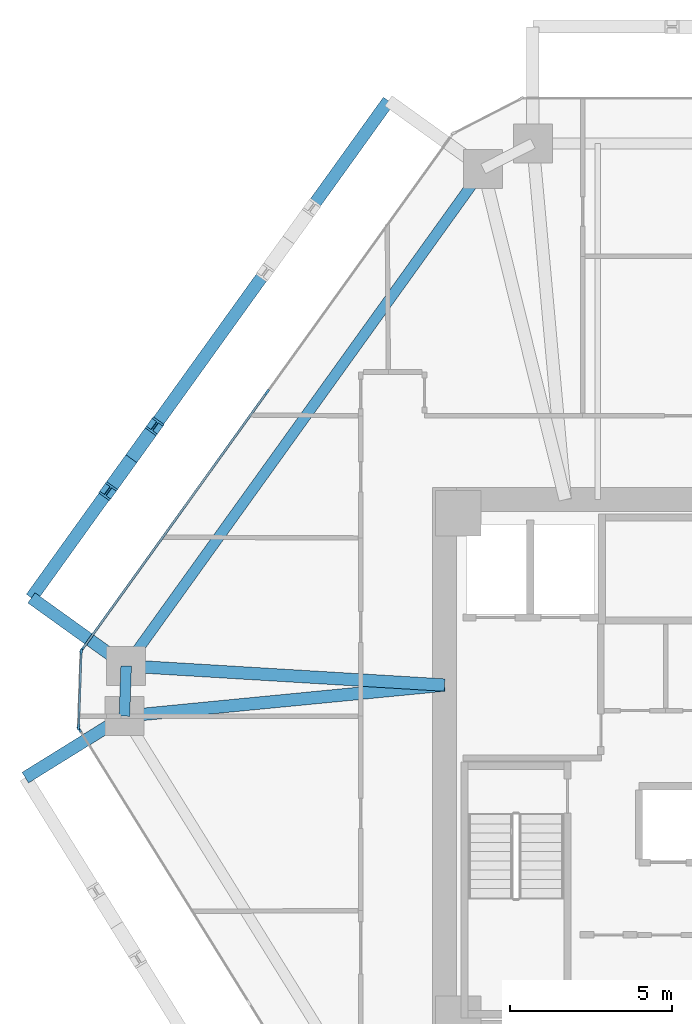
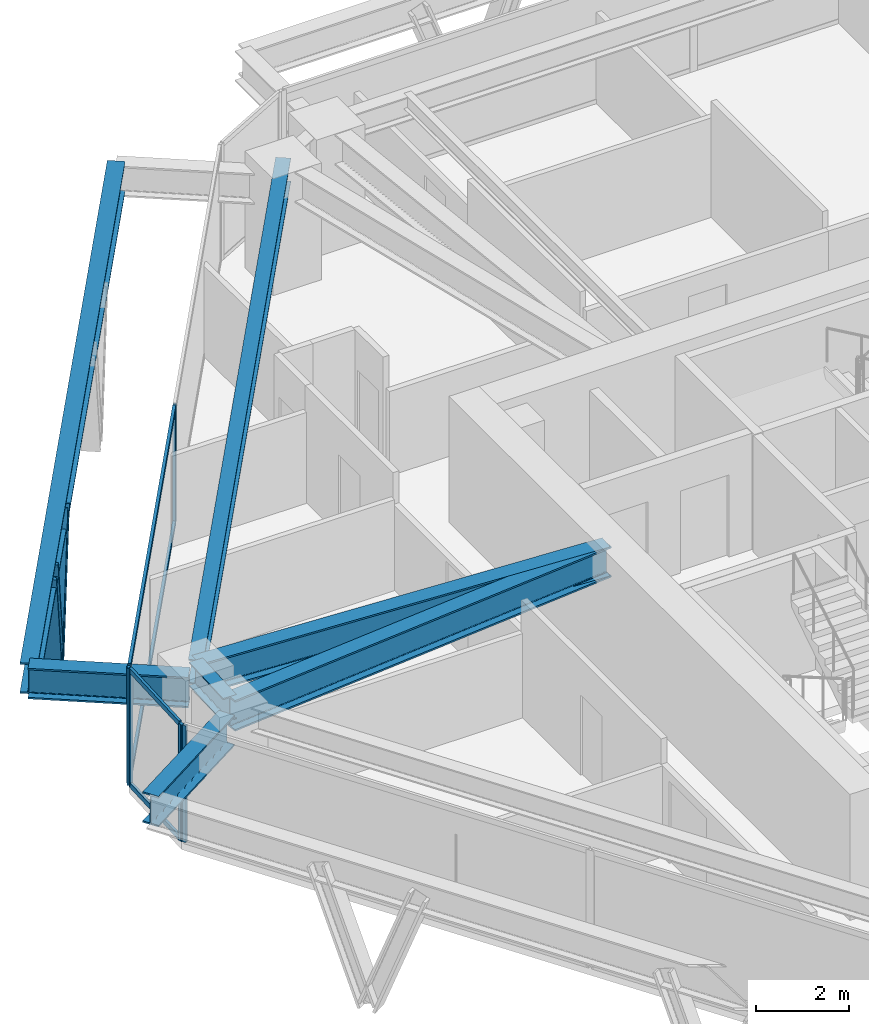
# One storey, part 4 of 14: 11 members, 7 beams, 3 elements without a shape of their own.
"""IFC4 building model written with IfcOpenShell, lengths in metres."""

from ifc_helpers import new_model, si_unit, direction, frame, origin, origin_2d, place, context, subcontext, project, spatial, rectangle, i_section, extrude, source, transform, mapped, material, layer, layer_set, material_profile, profile_set, type_object, type_shapes, element, aggregate, save


model = new_model("IFC4")

# Units and contexts
model_context = context("Model", 3, precision=1e-05, world=origin(), true_north=direction((0.0, 1.0)))
body_context = subcontext(model_context, "Body", "Model", "MODEL_VIEW")
ifc_project = project(units=[si_unit("LENGTHUNIT", "METRE"), si_unit("AREAUNIT", "SQUARE_METRE"), si_unit("VOLUMEUNIT", "CUBIC_METRE"), si_unit("PLANEANGLEUNIT", "RADIAN"), si_unit("MASSUNIT", "GRAM", prefix="KILO")], contexts=[model_context])

# Site, building, storey
site_placement = place(None, origin())
site = spatial("IfcSite", under=ifc_project, at=site_placement, CompositionType="ELEMENT")
building_placement = place(site_placement, origin())
building = spatial("IfcBuilding", under=site, at=building_placement, Name="Durnholm Broadcast Tower", CompositionType="ELEMENT")
storey_placement = place(building_placement, frame((0.0, 0.0, 120.60009765625)))
storey = spatial("IfcBuildingStorey", under=building, at=storey_placement, Name="L32", CompositionType="ELEMENT", Elevation=120.60009765625)

# Beams
ifc_material_1 = material(Name="Steel ASTM A992 Grade 50", Category="steel")
ifc_material_profile_1 = material_profile(ifc_material_1, i_section(OverallWidth=0.385009765625, OverallDepth=0.802978515625, WebThickness=0.023681640625, FlangeThickness=0.0419921875, FilletRadius=0.032958984375, at=origin_2d()), Name="W30X261")
ifc_profile_set_1 = profile_set([ifc_material_profile_1], Name="Steel ASTM A992 Grade 50")
beam_type_1 = type_object("IfcBeamType", Name="BM-EXO-TIE", PredefinedType="USERDEFINED", material=ifc_profile_set_1)
shared_shape_1 = source(origin(), body_context, "Body", "SweptSolid", [
    extrude(i_section(OverallWidth=0.385009765625, OverallDepth=0.802978515625, WebThickness=0.023681640625, FlangeThickness=0.0419921875, FilletRadius=0.032958984375, at=origin_2d()), origin(), (0.0, 0.0, 1.0), 3.4560546875),
])
for number, where, z_axis, x_axis, name in (
    (1, (-20.1669921875, 3.175048828125, 2.30859375), (-0.812164951739, 0.583427880005, 0.0), (-0.583427880005, -0.812164951739, 0.0), "L32 exoskeleton stand-off tie bracket F5.2"),
    (2, (-20.22509765625, 1.465576171875, 2.30859375), (-0.849795112316, -0.527113144481, 0.0), (0.527113144481, -0.849795112316, 0.0), "L32 exoskeleton stand-off tie bracket F6.1"),
):
    element("IfcBeam", number, at=place(storey_placement, frame(where, z_axis=z_axis, x_axis=x_axis)), inside=storey, type_object=beam_type_1, Name=name, ObjectType="GIRDER", PredefinedType="USERDEFINED", context=body_context, shape_type="MappedRepresentation", body=[
        mapped(shared_shape_1, transform((0.0, 0.0, 0.0), x_axis=(1.0, 0.0, 0.0), y_axis=(0.0, 1.0, 0.0), z_axis=(0.0, 0.0, 1.0), scale=1.0)),
    ])
ifc_material_profile_2 = material_profile(ifc_material_1, i_section(OverallWidth=0.3291015625, OverallDepth=0.635009765625, WebThickness=0.017822265625, FlangeThickness=0.031005859375, FilletRadius=0.02783203125, at=origin_2d()), Name="W24X162")
ifc_profile_set_2 = profile_set([ifc_material_profile_2], Name="Steel ASTM A992 Grade 50")
beam_type_2 = type_object("IfcBeamType", Name="STL-SP-W24X162", PredefinedType="SPANDREL", material=ifc_profile_set_2)
shared_shape_2 = source(origin(), body_context, "Body", "SweptSolid", [
    extrude(i_section(OverallWidth=0.3291015625, OverallDepth=0.635009765625, WebThickness=0.017822265625, FlangeThickness=0.031005859375, FilletRadius=0.02783203125, at=origin_2d()), origin(), (0.0, 0.0, 1.0), 1.550537109375),
])
beam_1_placement = place(storey_placement, frame((-20.102783203125, 1.54150390625, 2.727294921875), z_axis=(0.034012135923, 0.999421419928, 0.0), x_axis=(-0.999421419928, 0.034012135923, 0.0)))
element("IfcBeam", 3, at=beam_1_placement, inside=storey, type_object=beam_type_2, Name="L32 perimeter spandrel girder 02", PredefinedType="SPANDREL", context=body_context, shape_type="MappedRepresentation", body=[
    mapped(shared_shape_2, transform((0.0, 0.0, 0.0), x_axis=(1.0, 0.0, 0.0), y_axis=(0.0, 1.0, 0.0), z_axis=(0.0, 0.0, 1.0), scale=1.0)),
])
shared_shape_3 = source(origin(), body_context, "Body", "SweptSolid", [
    extrude(i_section(OverallWidth=0.3291015625, OverallDepth=0.635009765625, WebThickness=0.017822265625, FlangeThickness=0.031005859375, FilletRadius=0.02783203125, at=origin_2d()), origin(), (0.0, 0.0, 1.0), 18.884521484375),
])
type_shapes(beam_type_2, [shared_shape_2, shared_shape_3])
beam_2_placement = place(storey_placement, frame((-20.050048828125, 3.091064453125, 2.727294921875), z_axis=(0.583443434414, 0.812153777827, 0.0), x_axis=(-0.812153777827, 0.583443434414, 0.0)))
element("IfcBeam", 4, at=beam_2_placement, inside=storey, type_object=beam_type_2, Name="L32 perimeter spandrel girder 03", PredefinedType="SPANDREL", context=body_context, shape_type="MappedRepresentation", body=[
    mapped(shared_shape_3, transform((0.0, 0.0, 0.0), x_axis=(1.0, 0.0, 0.0), y_axis=(0.0, 1.0, 0.0), z_axis=(0.0, 0.0, 1.0), scale=1.0)),
])
ifc_material_profile_3 = material_profile(ifc_material_1, i_section(OverallWidth=0.385009765625, OverallDepth=0.802978515625, WebThickness=0.023681640625, FlangeThickness=0.0419921875, FilletRadius=0.032958984375, at=origin_2d()), Name="W30X261")
ifc_profile_set_3 = profile_set([ifc_material_profile_3], Name="Steel ASTM A992 Grade 50")
beam_type_3 = type_object("IfcBeamType", Name="STL-GR-W30X261", PredefinedType="USERDEFINED", material=ifc_profile_set_3)
shared_shape_4 = source(origin(), body_context, "Body", "SweptSolid", [
    extrude(i_section(OverallWidth=0.385009765625, OverallDepth=0.802978515625, WebThickness=0.023681640625, FlangeThickness=0.0419921875, FilletRadius=0.032958984375, at=origin_2d()), origin(), (0.0, 0.0, 1.0), 9.924072265625),
])
beam_3_placement = place(storey_placement, frame((-10.22509765625, 2.5, 2.643310546875), z_axis=(-0.995324947968, -0.096582855378, 0.0), x_axis=(0.096582855378, -0.995324947968, 0.0)))
element("IfcBeam", 5, at=beam_3_placement, inside=storey, type_object=beam_type_3, Name="L32 radial primary floor girder 02", ObjectType="GIRDER", PredefinedType="USERDEFINED", context=body_context, shape_type="MappedRepresentation", body=[
    mapped(shared_shape_4, transform((0.0, 0.0, 0.0), x_axis=(1.0, 0.0, 0.0), y_axis=(0.0, 1.0, 0.0), z_axis=(0.0, 0.0, 1.0), scale=1.0)),
])
shared_shape_5 = source(origin(), body_context, "Body", "SweptSolid", [
    extrude(i_section(OverallWidth=0.385009765625, OverallDepth=0.802978515625, WebThickness=0.023681640625, FlangeThickness=0.0419921875, FilletRadius=0.032958984375, at=origin_2d()), origin(), (0.0, 0.0, 1.0), 9.8427734375),
])
type_shapes(beam_type_3, [shared_shape_4, shared_shape_5])
beam_4_placement = place(storey_placement, frame((-10.22509765625, 2.5, 2.643310546875), z_axis=(-0.998195312551, 0.0600509617, 0.0), x_axis=(-0.0600509617, -0.998195312551, 0.0)))
element("IfcBeam", 6, at=beam_4_placement, inside=storey, type_object=beam_type_3, Name="L32 radial primary floor girder 03", ObjectType="GIRDER", PredefinedType="USERDEFINED", context=body_context, shape_type="MappedRepresentation", body=[
    mapped(shared_shape_5, transform((0.0, 0.0, 0.0), x_axis=(1.0, 0.0, 0.0), y_axis=(0.0, 1.0, 0.0), z_axis=(0.0, 0.0, 1.0), scale=1.0)),
])
shared_shape_6 = source(origin(), body_context, "Body", "SweptSolid", [
    extrude(i_section(OverallWidth=0.385009765625, OverallDepth=0.802978515625, WebThickness=0.023681640625, FlangeThickness=0.0419921875, FilletRadius=0.032958984375, at=origin_2d()), origin(), (0.0, 0.0, 1.0), 18.884765625),
])
type_shapes(beam_type_1, [shared_shape_1, shared_shape_6])
beam_5_placement = place(storey_placement, frame((-11.955810546875, 20.52880859375, 2.30859375), z_axis=(-0.583437308554, -0.812158178551, 0.0), x_axis=(0.812158178551, -0.583437308554, 0.0)))
element("IfcBeam", 7, at=beam_5_placement, inside=storey, type_object=beam_type_1, Name="L32 exoskeleton collector spandrel F5", PredefinedType="SPANDREL", context=body_context, shape_type="MappedRepresentation", body=[
    mapped(shared_shape_6, transform((0.0, 0.0, 0.0), x_axis=(1.0, 0.0, 0.0), y_axis=(0.0, 1.0, 0.0), z_axis=(0.0, 0.0, 1.0), scale=1.0)),
])

# Members
ifc_material_2 = material(Name="Steel ASTM A913 Grade 65", Category="steel")
ifc_material_profile_4 = material_profile(ifc_material_2, i_section(OverallWidth=0.41845703125, OverallDepth=0.455078125, WebThickness=0.0419921875, FlangeThickness=0.067626953125, FilletRadius=0.030517578125, at=origin_2d()), Name="W14X370")
ifc_profile_set_4 = profile_set([ifc_material_profile_4], Name="Steel ASTM A913 Grade 65")
member_type_1 = type_object("IfcMemberType", Name="STL-DG-W14X370", PredefinedType="BRACE", material=ifc_profile_set_4)
shared_shape_7 = source(origin(), body_context, "Body", "SweptSolid", [
    extrude(i_section(OverallWidth=0.41845703125, OverallDepth=0.455078125, WebThickness=0.0419921875, FlangeThickness=0.067626953125, FilletRadius=0.030517578125, at=origin_2d()), origin(), (0.0, 0.0, 1.0), 3.523193359375),
])
type_shapes(member_type_1, [shared_shape_7])
for number, where, z_axis, x_axis, name in (
    (8, (-19.888916015625, 9.48583984375, -0.991455078125), (0.204350195342, 0.284454917557, 0.936657033039), (-0.812153063014, 0.583444429434, 0.0), "L32 stand-off diagrid brace F5.D2.1"),
    (9, (-19.888916015625, 9.48583984375, -0.991455078125), (-0.204287819296, -0.284395254542, 0.936688756248), (0.812179469647, -0.583407669717, 0.0), "L32 stand-off diagrid brace F5.D2.2"),
):
    element("IfcMember", number, at=place(storey_placement, frame(where, z_axis=z_axis, x_axis=x_axis)), inside=storey, type_object=member_type_1, Name=name, PredefinedType="BRACE", context=body_context, shape_type="MappedRepresentation", body=[
        mapped(shared_shape_7, transform((0.0, 0.0, 0.0), x_axis=(1.0, 0.0, 0.0), y_axis=(0.0, 1.0, 0.0), z_axis=(0.0, 0.0, 1.0), scale=1.0)),
    ])

# Curtain wall, members
ifc_material_3 = material(Name="Aluminium and Solar Control IGU", Category="aluminium")
ifc_layer_1 = layer(ifc_material_3, 0.1650390625)
ifc_layer_set_1 = layer_set([ifc_layer_1], Name="Aluminium and Solar Control IGU")
curtain_wall_type_1 = type_object("IfcCurtainWallType", Name="CW-SYS-5", PredefinedType="NOTDEFINED", material=ifc_layer_set_1)
curtain_wall_1_placement = place(storey_placement, origin())
curtain_wall_1 = element("IfcCurtainWall", 10, at=curtain_wall_1_placement, inside=storey, type_object=curtain_wall_type_1, Name="L32 curtain wall CW-CORNER CW-L32-CRN-01", PredefinedType="NOTDEFINED")
ifc_material_4 = material(Name="Aluminium 6063-T6", Category="aluminium")
ifc_material_profile_5 = material_profile(ifc_material_4, rectangle(XDim=0.06494140625, YDim=0.1650390625, at=origin_2d()), Name="CWM65X165")
ifc_profile_set_5 = profile_set([ifc_material_profile_5], Name="Aluminium 6063-T6")
member_type_2 = type_object("IfcMemberType", Name="CW-SYS-5-MUL", PredefinedType="MULLION", material=ifc_profile_set_5)
shared_shape_8 = source(origin(), body_context, "Body", "SweptSolid", [
    extrude(rectangle(XDim=0.06494140625, YDim=0.1650390625, at=origin_2d()), origin(), (0.0, 0.0, 1.0), 3.059814453125),
])
type_shapes(member_type_2, [shared_shape_8])
member_1_placement = place(storey_placement, frame((-21.51513671875, 1.19677734375, 0.0), z_axis=(0.0, 0.0, 1.0), x_axis=(-0.999424655155, 0.033916937775, 0.0)))
member_1 = element("IfcMember", 11, at=member_1_placement, type_object=member_type_2, Name="CW-CORNER mullion 1", PredefinedType="MULLION", context=body_context, shape_type="MappedRepresentation", body=[
    mapped(shared_shape_8, transform((0.0, 0.0, 0.0), x_axis=(1.0, 0.0, 0.0), y_axis=(0.0, 1.0, 0.0), z_axis=(0.0, 0.0, 1.0), scale=1.0)),
])
member_2_placement = place(storey_placement, frame((-21.43603515625, 3.530517578125, 0.0), z_axis=(0.0, 0.0, 1.0), x_axis=(-0.999424655155, 0.033916937775, 0.0)))
member_2 = element("IfcMember", 12, at=member_2_placement, type_object=member_type_2, Name="CW-CORNER mullion 2", PredefinedType="MULLION", context=body_context, shape_type="MappedRepresentation", body=[
    mapped(shared_shape_8, transform((0.0, 0.0, 0.0), x_axis=(1.0, 0.0, 0.0), y_axis=(0.0, 1.0, 0.0), z_axis=(0.0, 0.0, 1.0), scale=1.0)),
])

ifc_layer_2 = layer(ifc_material_3, 0.18994140625)
ifc_layer_set_2 = layer_set([ifc_layer_2], Name="Aluminium and Solar Control IGU")
curtain_wall_type_2 = type_object("IfcCurtainWallType", Name="CW-SYS-3", PredefinedType="NOTDEFINED", material=ifc_layer_set_2)
curtain_wall_2_placement = place(storey_placement, origin())
curtain_wall_2 = element("IfcCurtainWall", 13, at=curtain_wall_2_placement, inside=storey, type_object=curtain_wall_type_2, Name="L32 curtain wall CW-Z12-VIS CW-L32-F02", PredefinedType="NOTDEFINED")
ifc_material_profile_6 = material_profile(ifc_material_4, rectangle(XDim=0.070068359375, YDim=0.18994140625, at=origin_2d()), Name="CWM70X190")
ifc_profile_set_6 = profile_set([ifc_material_profile_6], Name="Aluminium 6063-T6")
member_type_3 = type_object("IfcMemberType", Name="CW-SYS-3-MUL", PredefinedType="MULLION", material=ifc_profile_set_6)
shared_shape_9 = source(origin(), body_context, "Body", "SweptSolid", [
    extrude(rectangle(XDim=0.070068359375, YDim=0.18994140625, at=origin_2d()), origin(), (0.0, 0.0, 1.0), 3.059814453125),
])
type_shapes(member_type_3, [shared_shape_9])
member_3_placement = place(storey_placement, frame((-21.41455078125, 3.59130859375, 0.0), z_axis=(0.0, 0.0, 1.0), x_axis=(-0.812152312759, 0.583445473786, 0.0)))
member_3 = element("IfcMember", 14, at=member_3_placement, type_object=member_type_3, Name="CW-Z12-VIS mullion 1", PredefinedType="MULLION", context=body_context, shape_type="MappedRepresentation", body=[
    mapped(shared_shape_9, transform((0.0, 0.0, 0.0), x_axis=(1.0, 0.0, 0.0), y_axis=(0.0, 1.0, 0.0), z_axis=(0.0, 0.0, 1.0), scale=1.0)),
])
member_4_placement = place(storey_placement, frame((-15.703369140625, 11.541259765625, 0.0), z_axis=(0.0, 0.0, 1.0), x_axis=(-0.812152312759, 0.583445473786, 0.0)))
member_4 = element("IfcMember", 15, at=member_4_placement, type_object=member_type_3, Name="CW-Z12-VIS mullion 2", PredefinedType="MULLION", context=body_context, shape_type="MappedRepresentation", body=[
    mapped(shared_shape_9, transform((0.0, 0.0, 0.0), x_axis=(1.0, 0.0, 0.0), y_axis=(0.0, 1.0, 0.0), z_axis=(0.0, 0.0, 1.0), scale=1.0)),
])

# Curtain wall, member
curtain_wall_3_placement = place(storey_placement, origin())
curtain_wall_3 = element("IfcCurtainWall", 16, at=curtain_wall_3_placement, inside=storey, type_object=curtain_wall_type_2, Name="L32 curtain wall CW-Z12-VIS CW-L32-F12", PredefinedType="NOTDEFINED")
member_5_placement = place(storey_placement, frame((-21.497802734375, 1.134765625, 0.0), z_axis=(0.0, 0.0, 1.0), x_axis=(-0.849799925229, -0.527105385176, 0.0)))
member_5 = element("IfcMember", 17, at=member_5_placement, type_object=member_type_3, Name="CW-Z12-VIS mullion 3", PredefinedType="MULLION", context=body_context, shape_type="MappedRepresentation", body=[
    mapped(shared_shape_9, transform((0.0, 0.0, 0.0), x_axis=(1.0, 0.0, 0.0), y_axis=(0.0, 1.0, 0.0), z_axis=(0.0, 0.0, 1.0), scale=1.0)),
])
aggregate(curtain_wall_3, [member_5])

# Member
ifc_material_profile_7 = material_profile(ifc_material_4, rectangle(XDim=0.06494140625, YDim=0.1298828125, at=origin_2d()), Name="CWT65X130")
ifc_profile_set_7 = profile_set([ifc_material_profile_7], Name="Aluminium 6063-T6")
member_type_4 = type_object("IfcMemberType", Name="CW-SYS-5-TRN", PredefinedType="USERDEFINED", material=ifc_profile_set_7)
shared_shape_10 = source(origin(), body_context, "Body", "SweptSolid", [
    extrude(rectangle(XDim=0.06494140625, YDim=0.1298828125, at=origin_2d()), origin(), (0.0, 0.0, 1.0), 2.27001953125),
])
type_shapes(member_type_4, [shared_shape_10])
member_6_placement = place(storey_placement, frame((-21.51416015625, 1.229248046875, 0.032470703125), z_axis=(0.03398444704, 0.999422361847, 0.0), x_axis=(-0.999422361847, 0.03398444704, 0.0)))
member_6 = element("IfcMember", 18, at=member_6_placement, type_object=member_type_4, Name="CW-CORNER transom 1.1", ObjectType="TRANSOM", PredefinedType="USERDEFINED", context=body_context, shape_type="MappedRepresentation", body=[
    mapped(shared_shape_10, transform((0.0, 0.0, 0.0), x_axis=(1.0, 0.0, 0.0), y_axis=(0.0, 1.0, 0.0), z_axis=(0.0, 0.0, 1.0), scale=1.0)),
])

member_7_placement = place(storey_placement, frame((-21.51416015625, 1.229248046875, 3.02734375), z_axis=(0.03398444704, 0.999422361847, 0.0), x_axis=(-0.999422361847, 0.03398444704, 0.0)))
member_7 = element("IfcMember", 19, at=member_7_placement, type_object=member_type_4, Name="CW-CORNER transom 1.2", ObjectType="TRANSOM", PredefinedType="USERDEFINED", context=body_context, shape_type="MappedRepresentation", body=[
    mapped(shared_shape_10, transform((0.0, 0.0, 0.0), x_axis=(1.0, 0.0, 0.0), y_axis=(0.0, 1.0, 0.0), z_axis=(0.0, 0.0, 1.0), scale=1.0)),
])

aggregate(curtain_wall_1, [member_1, member_2, member_6, member_7])

ifc_material_profile_8 = material_profile(ifc_material_4, rectangle(XDim=0.070068359375, YDim=0.14990234375, at=origin_2d()), Name="CWT70X150")
ifc_profile_set_8 = profile_set([ifc_material_profile_8], Name="Aluminium 6063-T6")
member_type_5 = type_object("IfcMemberType", Name="CW-SYS-3-TRN", PredefinedType="USERDEFINED", material=ifc_profile_set_8)
shared_shape_11 = source(origin(), body_context, "Body", "SweptSolid", [
    extrude(rectangle(XDim=0.070068359375, YDim=0.14990234375, at=origin_2d()), origin(), (0.0, 0.0, 1.0), 9.71875),
])
type_shapes(member_type_5, [shared_shape_11])
member_8_placement = place(storey_placement, frame((-21.39404296875, 3.619873046875, 0.034912109375), z_axis=(0.583450726174, 0.812148539448, 0.0), x_axis=(-0.812148539448, 0.583450726174, 0.0)))
member_8 = element("IfcMember", 20, at=member_8_placement, type_object=member_type_5, Name="CW-Z12-VIS transom 1.1", ObjectType="TRANSOM", PredefinedType="USERDEFINED", context=body_context, shape_type="MappedRepresentation", body=[
    mapped(shared_shape_11, transform((0.0, 0.0, 0.0), x_axis=(1.0, 0.0, 0.0), y_axis=(0.0, 1.0, 0.0), z_axis=(0.0, 0.0, 1.0), scale=1.0)),
])

member_9_placement = place(storey_placement, frame((-21.39404296875, 3.619873046875, 3.02490234375), z_axis=(0.583450726174, 0.812148539448, 0.0), x_axis=(-0.812148539448, 0.583450726174, 0.0)))
member_9 = element("IfcMember", 21, at=member_9_placement, type_object=member_type_5, Name="CW-Z12-VIS transom 1.2", ObjectType="TRANSOM", PredefinedType="USERDEFINED", context=body_context, shape_type="MappedRepresentation", body=[
    mapped(shared_shape_11, transform((0.0, 0.0, 0.0), x_axis=(1.0, 0.0, 0.0), y_axis=(0.0, 1.0, 0.0), z_axis=(0.0, 0.0, 1.0), scale=1.0)),
])

aggregate(curtain_wall_2, [member_3, member_4, member_8, member_9])

save(model, "model.ifc")
